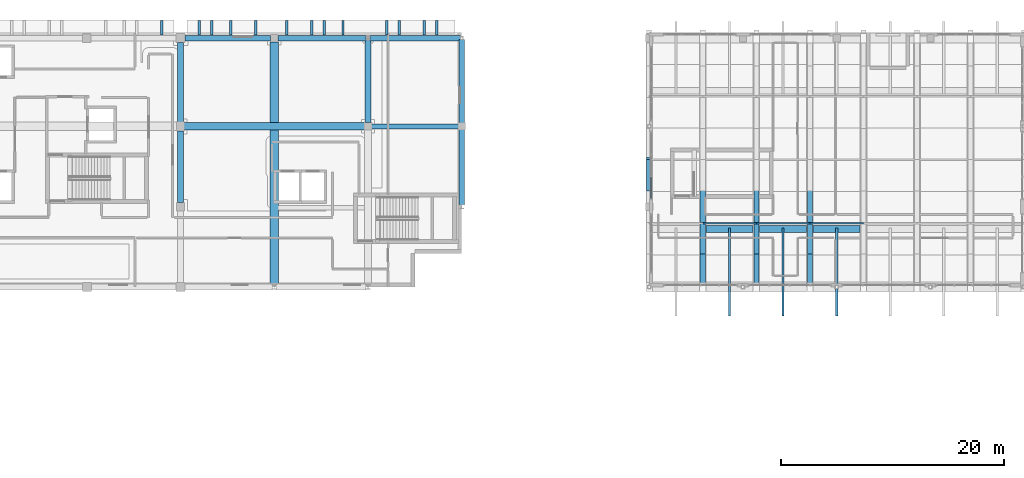
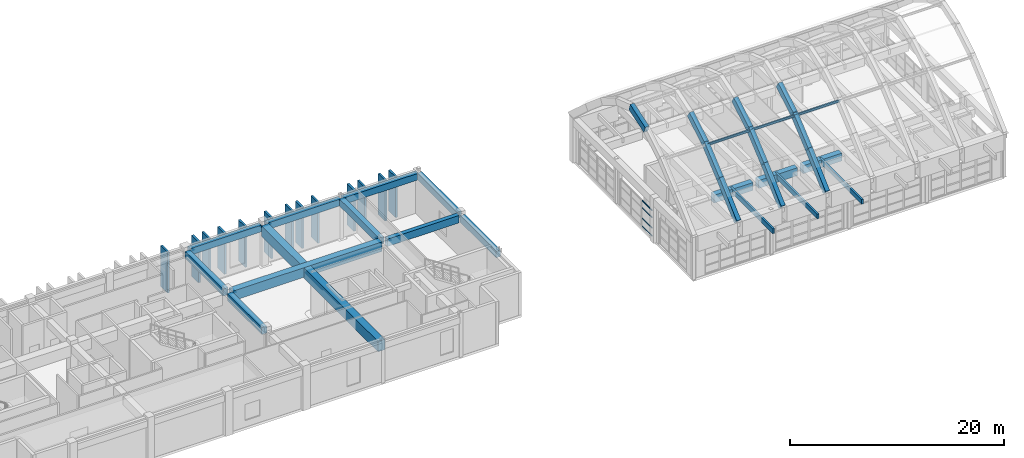
# One storey, part 31 of 78: 24 beams, 23 members, 1 element without a shape of its own.
"""IFC4 building model written with IfcOpenShell, lengths in metres."""

from ifc_helpers import new_model, si_unit, direction, frame, origin, origin_2d, place, context, subcontext, project, spatial, rectangle, hollow_rectangle, i_section, extrude, material, layer, layer_set, material_profile, profile_set, type_object, element, aggregate, save


model = new_model("IFC4")

# Units and contexts
model_context = context("Model", 3, precision=1e-05, world=origin(), true_north=direction((0.0, 1.0)))
body_context = subcontext(model_context, "Body", "Model", "MODEL_VIEW")
ifc_project = project(units=[si_unit("LENGTHUNIT", "METRE"), si_unit("AREAUNIT", "SQUARE_METRE"), si_unit("VOLUMEUNIT", "CUBIC_METRE"), si_unit("PLANEANGLEUNIT", "RADIAN"), si_unit("MASSUNIT", "GRAM", prefix="KILO")], contexts=[model_context])

# Site, building, storey
site_placement = place(None, origin())
site = spatial("IfcSite", under=ifc_project, at=site_placement, CompositionType="ELEMENT")
building_placement = place(site_placement, origin())
building = spatial("IfcBuilding", under=site, at=building_placement, Name="Quendrovan Civic Courthouse", CompositionType="ELEMENT")
storey_placement = place(building_placement, frame((0.0, 0.0, 20.39990234375)))
storey = spatial("IfcBuildingStorey", under=building, at=storey_placement, Name="L05", CompositionType="ELEMENT", Elevation=20.39990234375)

# Beams
ifc_material_1 = material(Name="Post-tensioned concrete C50/60", Category="concrete")
ifc_material_profile_1 = material_profile(ifc_material_1, rectangle(XDim=0.699951171875, YDim=1.10009765625, at=origin_2d()), Name="PT-GIRD-700x1100")
ifc_profile_set_1 = profile_set([ifc_material_profile_1], Name="Post-tensioned concrete C50/60")
beam_type_1 = type_object("IfcBeamType", Name="BM-PT1100", PredefinedType="BEAM", material=ifc_profile_set_1)
beam_1_placement = place(storey_placement, frame((67.530029296875, 102.0, 4.110107421875), z_axis=(1.0, 0.0, 0.0), x_axis=(0.0, 1.0, 0.0)))
element("IfcBeam", 1, at=beam_1_placement, inside=storey, type_object=beam_type_1, Name="L05 Girder X1041", PredefinedType="BEAM", context=body_context, shape_type="SweptSolid", body=[
    extrude(rectangle(XDim=0.699951171875, YDim=1.10009765625, at=origin_2d()), origin(), (0.0, 0.0, 1.0), 16.139892578125),
])
ifc_material_profile_2 = material_profile(ifc_material_1, rectangle(XDim=0.75, YDim=1.199951171875, at=origin_2d()), Name="PT-GIRD-750x1200")
ifc_profile_set_2 = profile_set([ifc_material_profile_2], Name="Post-tensioned concrete C50/60")
beam_type_2 = type_object("IfcBeamType", Name="BM-PT1200", PredefinedType="BEAM", material=ifc_profile_set_2)
beam_2_placement = place(storey_placement, frame((75.60009765625, 87.76611328125, 4.06005859375), z_axis=(0.0, 1.0, 0.0), x_axis=(-1.0, 0.0, 0.0)))
element("IfcBeam", 2, at=beam_2_placement, inside=storey, type_object=beam_type_2, Name="L05 Girder Y1089", PredefinedType="BEAM", context=body_context, shape_type="SweptSolid", body=[
    extrude(rectangle(XDim=0.75, YDim=1.199951171875, at=origin_2d()), origin(), (0.0, 0.0, 1.0), 21.803955078125),
])
ifc_material_2 = material(Name="Concrete C40/50", Category="concrete")
ifc_material_profile_3 = material_profile(ifc_material_2, rectangle(XDim=0.5, YDim=0.75, at=origin_2d()), Name="RC-BM-500x750")
ifc_profile_set_3 = profile_set([ifc_material_profile_3], Name="Concrete C40/50")
beam_type_3 = type_object("IfcBeamType", Name="BM-RC750", PredefinedType="SPANDREL", material=ifc_profile_set_3)
beam_3_placement = place(storey_placement, frame((67.580078125, 109.89990234375, 4.28515625), z_axis=(1.0, 0.0, 0.0), x_axis=(0.0, 1.0, 0.0)))
element("IfcBeam", 3, at=beam_3_placement, inside=storey, type_object=beam_type_3, Name="L05 Girder X1047", PredefinedType="SPANDREL", context=body_context, shape_type="SweptSolid", body=[
    extrude(rectangle(XDim=0.5, YDim=0.75, at=origin_2d()), origin(), (0.0, 0.0, 1.0), 7.68994140625),
])
beam_4_placement = place(storey_placement, frame((75.929931640625, 109.89990234375, 4.28515625), z_axis=(1.0, 0.0, 0.0), x_axis=(0.0, 1.0, 0.0)))
element("IfcBeam", 4, at=beam_4_placement, inside=storey, type_object=beam_type_3, Name="L05 Girder X1048", PredefinedType="SPANDREL", context=body_context, shape_type="SweptSolid", body=[
    extrude(rectangle(XDim=0.5, YDim=0.75, at=origin_2d()), origin(), (0.0, 0.0, 1.0), 7.903076171875),
])
beam_5_placement = place(storey_placement, frame((84.1669921875, 109.89990234375, 4.28515625), z_axis=(1.0, 0.0, 0.0), x_axis=(0.0, 1.0, 0.0)))
element("IfcBeam", 5, at=beam_5_placement, inside=storey, type_object=beam_type_3, Name="L05 Girder X1049", PredefinedType="SPANDREL", context=body_context, shape_type="SweptSolid", body=[
    extrude(rectangle(XDim=0.5, YDim=0.75, at=origin_2d()), origin(), (0.0, 0.0, 1.0), 8.10302734375),
])
beam_6_placement = place(storey_placement, frame((92.39990234375, 94.966064453125, 4.28515625), z_axis=(0.0, 1.0, 0.0), x_axis=(-1.0, 0.0, 0.0)))
element("IfcBeam", 6, at=beam_6_placement, inside=storey, type_object=beam_type_3, Name="L05 Girder Y1092", PredefinedType="SPANDREL", context=body_context, shape_type="SweptSolid", body=[
    extrude(rectangle(XDim=0.5, YDim=0.75, at=origin_2d()), origin(), (0.0, 0.0, 1.0), 6.72900390625),
])
beam_7_placement = place(storey_placement, frame((92.39990234375, 102.304931640625, 4.28515625), z_axis=(0.0, 1.0, 0.0), x_axis=(-1.0, 0.0, 0.0)))
element("IfcBeam", 7, at=beam_7_placement, inside=storey, type_object=beam_type_3, Name="L05 Girder Y1093", PredefinedType="SPANDREL", context=body_context, shape_type="SweptSolid", body=[
    extrude(rectangle(XDim=0.5, YDim=0.75, at=origin_2d()), origin(), (0.0, 0.0, 1.0), 7.465087890625),
])
ifc_material_profile_4 = material_profile(ifc_material_2, rectangle(XDim=0.550048828125, YDim=0.800048828125, at=origin_2d()), Name="RC-BM-550x800")
ifc_profile_set_4 = profile_set([ifc_material_profile_4], Name="Concrete C40/50")
beam_type_4 = type_object("IfcBeamType", Name="BM-RC800", PredefinedType="BEAM", material=ifc_profile_set_4)
beam_8_placement = place(storey_placement, frame((67.199951171875, 95.155029296875, 4.260009765625), z_axis=(0.0, 1.0, 0.0), x_axis=(-1.0, 0.0, 0.0)))
element("IfcBeam", 8, at=beam_8_placement, inside=storey, type_object=beam_type_4, Name="L05 Girder Y1087", PredefinedType="BEAM", context=body_context, shape_type="SweptSolid", body=[
    extrude(rectangle(XDim=0.550048828125, YDim=0.800048828125, at=origin_2d()), origin(), (0.0, 0.0, 1.0), 6.43994140625),
])
beam_9_placement = place(storey_placement, frame((67.199951171875, 102.405029296875, 4.260009765625), z_axis=(0.0, 1.0, 0.0), x_axis=(-1.0, 0.0, 0.0)))
element("IfcBeam", 9, at=beam_9_placement, inside=storey, type_object=beam_type_4, Name="L05 Girder Y1088", PredefinedType="BEAM", context=body_context, shape_type="SweptSolid", body=[
    extrude(rectangle(XDim=0.550048828125, YDim=0.800048828125, at=origin_2d()), origin(), (0.0, 0.0, 1.0), 7.114990234375),
])
beam_10_placement = place(storey_placement, frame((84.0, 102.330078125, 4.260009765625), z_axis=(0.0, 1.0, 0.0), x_axis=(-1.0, 0.0, 0.0)))
element("IfcBeam", 10, at=beam_10_placement, inside=storey, type_object=beam_type_4, Name="L05 Girder Y1091", PredefinedType="BEAM", context=body_context, shape_type="SweptSolid", body=[
    extrude(rectangle(XDim=0.550048828125, YDim=0.800048828125, at=origin_2d()), origin(), (0.0, 0.0, 1.0), 7.40380859375),
])
ifc_material_3 = material(Name="Concrete C45/55", Category="concrete")
ifc_material_profile_5 = material_profile(ifc_material_3, rectangle(XDim=0.449951171875, YDim=0.85009765625, at=origin_2d()), Name="RC-BM-450x850")
ifc_profile_set_5 = profile_set([ifc_material_profile_5], Name="Concrete C45/55")
beam_type_5 = type_object("IfcBeamType", Name="BM-RC850", PredefinedType="BEAM", material=ifc_profile_set_5)
beam_11_placement = place(storey_placement, frame((84.330078125, 102.0, 4.235107421875), z_axis=(1.0, 0.0, 0.0), x_axis=(0.0, 1.0, 0.0)))
element("IfcBeam", 11, at=beam_11_placement, inside=storey, type_object=beam_type_5, Name="L05 Girder X1042", PredefinedType="BEAM", context=body_context, shape_type="SweptSolid", body=[
    extrude(rectangle(XDim=0.449951171875, YDim=0.85009765625, at=origin_2d()), origin(), (0.0, 0.0, 1.0), 7.764892578125),
])
ifc_material_profile_6 = material_profile(ifc_material_2, rectangle(XDim=0.60009765625, YDim=0.89990234375, at=origin_2d()), Name="RC-BM-600x900")
ifc_profile_set_6 = profile_set([ifc_material_profile_6], Name="Concrete C40/50")
beam_type_6 = type_object("IfcBeamType", Name="BM-RC900", PredefinedType="BEAM", material=ifc_profile_set_6)
for number, where, z_axis, x_axis, name in (
    (12, (114.300048828125, 92.800048828125, 4.35009765625), (1.0, 0.0, 0.0), (0.0, 1.0, 0.0), "BV1 Eave Backspan Collector Beam S-B2"),
    (13, (119.10009765625, 92.800048828125, 4.35009765625), (1.0, 0.0, 0.0), (0.0, 1.0, 0.0), "BV1 Eave Backspan Collector Beam S-B3"),
):
    element("IfcBeam", number, at=place(storey_placement, frame(where, z_axis=z_axis, x_axis=x_axis)), inside=storey, type_object=beam_type_6, Name=name, PredefinedType="BEAM", context=body_context, shape_type="SweptSolid", body=[
        extrude(rectangle(XDim=0.60009765625, YDim=0.89990234375, at=origin_2d()), origin(), (0.0, 0.0, 1.0), 4.199951171875),
    ])
beam_12_placement = place(storey_placement, frame((123.89990234375, 92.800048828125, 4.35009765625), z_axis=(1.0, 0.0, 0.0), x_axis=(0.0, 1.0, 0.0)))
element("IfcBeam", 14, at=beam_12_placement, inside=storey, type_object=beam_type_6, Name="BV1 Eave Backspan Collector Beam S-B4", PredefinedType="BEAM", context=body_context, shape_type="SweptSolid", body=[
    extrude(rectangle(XDim=0.60009765625, YDim=0.89990234375, at=origin_2d()), origin(), (0.0, 0.0, 1.0), 4.2001953125),
])
ifc_material_profile_7 = material_profile(ifc_material_2, rectangle(XDim=0.449951171875, YDim=0.75, at=origin_2d()), Name="RC-VRIB-450x750")
ifc_profile_set_7 = profile_set([ifc_material_profile_7], Name="Concrete C40/50")
beam_type_7 = type_object("IfcBeamType", Name="BM-VRIB750", PredefinedType="BEAM", material=ifc_profile_set_7)
beam_13_placement = place(storey_placement, frame((109.199951171875, 96.33154296875, 11.8115234375), z_axis=(0.0, 0.948872737185, 0.315658880164), x_axis=(-1.0, 0.0, 0.0)))
element("IfcBeam", 15, at=beam_13_placement, inside=storey, type_object=beam_type_7, Name="BV1 Concrete Vault Arch Rib A1-C4", PredefinedType="BEAM", context=body_context, shape_type="SweptSolid", body=[
    extrude(rectangle(XDim=0.449951171875, YDim=0.75, at=origin_2d()), origin(), (0.0, 0.0, 1.0), 2.96142578125),
])
beam_14_placement = place(storey_placement, frame((114.0, 87.60009765625, 4.900146484375), z_axis=(0.0, 0.740733725172, 0.671798740988), x_axis=(-1.0, 0.0, 0.0)))
element("IfcBeam", 16, at=beam_14_placement, inside=storey, type_object=beam_type_7, Name="BV1 Concrete Vault Arch Rib A2-C1", PredefinedType="BEAM", context=body_context, shape_type="SweptSolid", body=[
    extrude(rectangle(XDim=0.449951171875, YDim=0.75, at=origin_2d()), origin(), (0.0, 0.0, 1.0), 4.423583984375),
])
beam_15_placement = place(storey_placement, frame((114.0, 90.822021484375, 7.818603515625), z_axis=(0.0, 0.762387086329, 0.647121264214), x_axis=(-1.0, 0.0, 0.0)))
element("IfcBeam", 17, at=beam_15_placement, inside=storey, type_object=beam_type_7, Name="BV1 Concrete Vault Arch Rib A2-C2", PredefinedType="BEAM", context=body_context, shape_type="SweptSolid", body=[
    extrude(rectangle(XDim=0.449951171875, YDim=0.75, at=origin_2d()), origin(), (0.0, 0.0, 1.0), 3.73828125),
])
beam_16_placement = place(storey_placement, frame((114.0, 93.592041015625, 10.180908203125), z_axis=(0.0, 0.861355141515, 0.508003267889), x_axis=(-1.0, 0.0, 0.0)))
element("IfcBeam", 18, at=beam_16_placement, inside=storey, type_object=beam_type_7, Name="BV1 Concrete Vault Arch Rib A2-C3", PredefinedType="BEAM", context=body_context, shape_type="SweptSolid", body=[
    extrude(rectangle(XDim=0.449951171875, YDim=0.75, at=origin_2d()), origin(), (0.0, 0.0, 1.0), 3.308837890625),
])
beam_17_placement = place(storey_placement, frame((118.800048828125, 87.60009765625, 4.900146484375), z_axis=(0.0, 0.740733725172, 0.671798740988), x_axis=(-1.0, 0.0, 0.0)))
element("IfcBeam", 19, at=beam_17_placement, inside=storey, type_object=beam_type_7, Name="BV1 Concrete Vault Arch Rib A3-C1", PredefinedType="BEAM", context=body_context, shape_type="SweptSolid", body=[
    extrude(rectangle(XDim=0.449951171875, YDim=0.75, at=origin_2d()), origin(), (0.0, 0.0, 1.0), 4.423583984375),
])
beam_18_placement = place(storey_placement, frame((118.800048828125, 90.822021484375, 7.818603515625), z_axis=(0.0, 0.762387086329, 0.647121264214), x_axis=(-1.0, 0.0, 0.0)))
element("IfcBeam", 20, at=beam_18_placement, inside=storey, type_object=beam_type_7, Name="BV1 Concrete Vault Arch Rib A3-C2", PredefinedType="BEAM", context=body_context, shape_type="SweptSolid", body=[
    extrude(rectangle(XDim=0.449951171875, YDim=0.75, at=origin_2d()), origin(), (0.0, 0.0, 1.0), 3.73828125),
])
beam_19_placement = place(storey_placement, frame((118.800048828125, 93.592041015625, 10.180908203125), z_axis=(0.0, 0.861355141515, 0.508003267889), x_axis=(-1.0, 0.0, 0.0)))
element("IfcBeam", 21, at=beam_19_placement, inside=storey, type_object=beam_type_7, Name="BV1 Concrete Vault Arch Rib A3-C3", PredefinedType="BEAM", context=body_context, shape_type="SweptSolid", body=[
    extrude(rectangle(XDim=0.449951171875, YDim=0.75, at=origin_2d()), origin(), (0.0, 0.0, 1.0), 3.308837890625),
])
beam_20_placement = place(storey_placement, frame((123.60009765625, 87.60009765625, 4.900146484375), z_axis=(0.0, 0.740733725172, 0.671798740988), x_axis=(-1.0, 0.0, 0.0)))
element("IfcBeam", 22, at=beam_20_placement, inside=storey, type_object=beam_type_7, Name="BV1 Concrete Vault Arch Rib A4-C1", PredefinedType="BEAM", context=body_context, shape_type="SweptSolid", body=[
    extrude(rectangle(XDim=0.449951171875, YDim=0.75, at=origin_2d()), origin(), (0.0, 0.0, 1.0), 4.423583984375),
])
beam_21_placement = place(storey_placement, frame((123.60009765625, 90.822021484375, 7.818603515625), z_axis=(0.0, 0.762387086329, 0.647121264214), x_axis=(-1.0, 0.0, 0.0)))
element("IfcBeam", 23, at=beam_21_placement, inside=storey, type_object=beam_type_7, Name="BV1 Concrete Vault Arch Rib A4-C2", PredefinedType="BEAM", context=body_context, shape_type="SweptSolid", body=[
    extrude(rectangle(XDim=0.449951171875, YDim=0.75, at=origin_2d()), origin(), (0.0, 0.0, 1.0), 3.73828125),
])
beam_22_placement = place(storey_placement, frame((123.60009765625, 93.592041015625, 10.180908203125), z_axis=(0.0, 0.861355141515, 0.508003267889), x_axis=(-1.0, 0.0, 0.0)))
element("IfcBeam", 24, at=beam_22_placement, inside=storey, type_object=beam_type_7, Name="BV1 Concrete Vault Arch Rib A4-C3", PredefinedType="BEAM", context=body_context, shape_type="SweptSolid", body=[
    extrude(rectangle(XDim=0.449951171875, YDim=0.75, at=origin_2d()), origin(), (0.0, 0.0, 1.0), 3.308837890625),
])

# Curtain wall, members
ifc_material_4 = material(Name="Bronze anodised aluminium and low-E glass", Category="aluminium")
ifc_layer = layer(ifc_material_4, 0.179931640625, Name="Bronze anodised aluminium and low-E glass")
ifc_layer_set = layer_set([ifc_layer], Name="Bronze anodised aluminium and low-E glass")
curtain_wall_type = type_object("IfcCurtainWallType", Name="CW-U60x30", PredefinedType="USERDEFINED", material=ifc_layer_set)
curtain_wall_placement = place(storey_placement, origin())
curtain_wall = element("IfcCurtainWall", 25, at=curtain_wall_placement, inside=storey, type_object=curtain_wall_type, Name="L05 Unitised Hurricane Curtain Wall CW-203", ObjectType="UNITISED CURTAIN WALL", PredefinedType="USERDEFINED")
ifc_material_5 = material(Name="Bronze anodised aluminium", Category="aluminium")
ifc_material_profile_8 = material_profile(ifc_material_5, hollow_rectangle(XDim=0.06494140625, YDim=0.114990234375, WallThickness=0.00390625, at=origin_2d()), Name="CW-TRAN-65x115")
ifc_profile_set_8 = profile_set([ifc_material_profile_8], Name="Bronze anodised aluminium")
member_type_1 = type_object("IfcMemberType", Name="CW-TRAN-B", PredefinedType="USERDEFINED", material=ifc_profile_set_8)
member_1_placement = place(storey_placement, frame((109.364990234375, 95.5400390625, 0.03271484375), z_axis=(0.0, 1.0, 0.0), x_axis=(-1.0, 0.0, 0.0)))
member_1 = element("IfcMember", 26, at=member_1_placement, type_object=member_type_1, Name="CW-203 transom 1.1", ObjectType="TRANSOM", PredefinedType="USERDEFINED", context=body_context, shape_type="SweptSolid", body=[
    extrude(hollow_rectangle(XDim=0.06494140625, YDim=0.114990234375, WallThickness=0.00390625, at=origin_2d()), origin(), (0.0, 0.0, 1.0), 1.910888671875),
])
member_2_placement = place(storey_placement, frame((109.364990234375, 95.5400390625, 0.9501953125), z_axis=(0.0, 1.0, 0.0), x_axis=(-1.0, 0.0, 0.0)))
member_2 = element("IfcMember", 27, at=member_2_placement, type_object=member_type_1, Name="CW-203 transom 1.2", ObjectType="TRANSOM", PredefinedType="USERDEFINED", context=body_context, shape_type="SweptSolid", body=[
    extrude(hollow_rectangle(XDim=0.06494140625, YDim=0.114990234375, WallThickness=0.00390625, at=origin_2d()), origin(), (0.0, 0.0, 1.0), 1.910888671875),
])
member_3_placement = place(storey_placement, frame((109.364990234375, 95.5400390625, 2.150146484375), z_axis=(0.0, 1.0, 0.0), x_axis=(-1.0, 0.0, 0.0)))
member_3 = element("IfcMember", 28, at=member_3_placement, type_object=member_type_1, Name="CW-203 transom 1.3", ObjectType="TRANSOM", PredefinedType="USERDEFINED", context=body_context, shape_type="SweptSolid", body=[
    extrude(hollow_rectangle(XDim=0.06494140625, YDim=0.114990234375, WallThickness=0.00390625, at=origin_2d()), origin(), (0.0, 0.0, 1.0), 1.910888671875),
])
member_4_placement = place(storey_placement, frame((109.364990234375, 95.5400390625, 2.95751953125), z_axis=(0.0, 1.0, 0.0), x_axis=(-1.0, 0.0, 0.0)))
member_4 = element("IfcMember", 29, at=member_4_placement, type_object=member_type_1, Name="CW-203 transom 1.4", ObjectType="TRANSOM", PredefinedType="USERDEFINED", context=body_context, shape_type="SweptSolid", body=[
    extrude(hollow_rectangle(XDim=0.06494140625, YDim=0.114990234375, WallThickness=0.00390625, at=origin_2d()), origin(), (0.0, 0.0, 1.0), 1.910888671875),
])
aggregate(curtain_wall, [member_1, member_2, member_3, member_4])

# Members
ifc_material_6 = material(Name="Precast concrete C45/55", Category="concrete")
ifc_material_profile_9 = material_profile(ifc_material_6, rectangle(XDim=0.219970703125, YDim=1.280029296875, at=origin_2d()), Name="PC-FIN-220x1280")
ifc_profile_set_9 = profile_set([ifc_material_profile_9], Name="Precast concrete C45/55")
member_type_2 = type_object("IfcMemberType", Name="MEM-PC-FIN1280", PredefinedType="USERDEFINED", material=ifc_profile_set_9)
for number, where, z_axis, x_axis, name in (
    (30, (65.52001953125, 110.83203125, 0.0), (0.0, 0.0, 1.0), (1.0, 0.0, 0.0), "L05 Precast Concrete Facade Fin 0070"),
    (31, (68.8798828125, 110.83203125, 0.0), (0.0, 0.0, 1.0), (1.0, 0.0, 0.0), "L05 Precast Concrete Facade Fin 0071"),
    (32, (70.0, 110.83203125, 0.0), (0.0, 0.0, 1.0), (1.0, 0.0, 0.0), "L05 Precast Concrete Facade Fin 0072"),
    (33, (71.679931640625, 110.83203125, 0.0), (0.0, 0.0, 1.0), (1.0, 0.0, 0.0), "L05 Precast Concrete Facade Fin 0073"),
    (34, (73.919921875, 110.83203125, 0.0), (0.0, 0.0, 1.0), (1.0, 0.0, 0.0), "L05 Precast Concrete Facade Fin 0074"),
    (35, (76.719970703125, 110.83203125, 0.0), (0.0, 0.0, 1.0), (1.0, 0.0, 0.0), "L05 Precast Concrete Facade Fin 0075"),
    (36, (78.9599609375, 110.83203125, 0.0), (0.0, 0.0, 1.0), (1.0, 0.0, 0.0), "L05 Precast Concrete Facade Fin 0076"),
    (37, (80.080078125, 110.83203125, 0.0), (0.0, 0.0, 1.0), (1.0, 0.0, 0.0), "L05 Precast Concrete Facade Fin 0077"),
    (38, (81.760009765625, 110.83203125, 0.0), (0.0, 0.0, 1.0), (1.0, 0.0, 0.0), "L05 Precast Concrete Facade Fin 0078"),
    (39, (85.679931640625, 110.83203125, 0.0), (0.0, 0.0, 1.0), (1.0, 0.0, 0.0), "L05 Precast Concrete Facade Fin 0079"),
    (40, (86.800048828125, 110.83203125, 0.0), (0.0, 0.0, 1.0), (1.0, 0.0, 0.0), "L05 Precast Concrete Facade Fin 0080"),
    (41, (89.0400390625, 110.83203125, 0.0), (0.0, 0.0, 1.0), (1.0, 0.0, 0.0), "L05 Precast Concrete Facade Fin 0081"),
    (42, (90.159912109375, 110.83203125, 0.0), (0.0, 0.0, 1.0), (1.0, 0.0, 0.0), "L05 Precast Concrete Facade Fin 0082"),
):
    element("IfcMember", number, at=place(storey_placement, frame(where, z_axis=z_axis, x_axis=x_axis)), inside=storey, type_object=member_type_2, Name=name, ObjectType="PRECAST FACADE FIN", PredefinedType="USERDEFINED", context=body_context, shape_type="SweptSolid", body=[
        extrude(rectangle(XDim=0.219970703125, YDim=1.280029296875, at=origin_2d()), origin(), (0.0, 0.0, 1.0), 4.68017578125),
    ])
ifc_material_7 = material(Name="Western Red Cedar Glulam GL28h", Category="wood")
ifc_material_profile_10 = material_profile(ifc_material_7, rectangle(XDim=0.199951171875, YDim=0.5400390625, at=origin_2d()), Name="GL28H-200x540")
ifc_profile_set_10 = profile_set([ifc_material_profile_10], Name="Western Red Cedar Glulam GL28h")
member_type_3 = type_object("IfcMemberType", Name="MEM-PUR-GL540", PredefinedType="PURLIN", material=ifc_profile_set_10)
for number, where, z_axis, x_axis, name in (
    (43, (116.39990234375, 85.0, 4.530029296875), (0.0, 1.0, 0.0), (-1.0, 0.0, 0.0), "BV1 Cedar Glulam South Hurricane Eave Outrigger B2"),
    (44, (121.199951171875, 85.0, 4.530029296875), (0.0, 1.0, 0.0), (-1.0, 0.0, 0.0), "BV1 Cedar Glulam South Hurricane Eave Outrigger B3"),
    (45, (126.0, 85.0, 4.530029296875), (0.0, 1.0, 0.0), (-1.0, 0.0, 0.0), "BV1 Cedar Glulam South Hurricane Eave Outrigger B4"),
):
    element("IfcMember", number, at=place(storey_placement, frame(where, z_axis=z_axis, x_axis=x_axis)), inside=storey, type_object=member_type_3, Name=name, PredefinedType="PURLIN", context=body_context, shape_type="SweptSolid", body=[
        extrude(rectangle(XDim=0.199951171875, YDim=0.5400390625, at=origin_2d()), origin(), (0.0, 0.0, 1.0), 7.89990234375),
    ])
ifc_material_8 = material(Name="Steel ASTM A992 Grade 50", Category="steel")
ifc_material_profile_11 = material_profile(ifc_material_8, i_section(OverallWidth=0.14599609375, OverallDepth=0.258056640625, WebThickness=0.006103515625, FlangeThickness=0.009033203125, at=origin_2d()), Name="W250x33")
ifc_profile_set_11 = profile_set([ifc_material_profile_11], Name="Steel ASTM A992 Grade 50")
member_type_4 = type_object("IfcMemberType", Name="MEM-PUR-W250", PredefinedType="PURLIN", material=ifc_profile_set_11)
for number, where, z_axis, x_axis, name in (
    (46, (114.0, 93.300048828125, 10.236083984375), (1.0, 0.0, 0.0), (0.0, 1.0, 0.0), "BV1 Vault Longitudinal Purlin B2-1"),
    (47, (118.800048828125, 93.300048828125, 10.236083984375), (1.0, 0.0, 0.0), (0.0, 1.0, 0.0), "BV1 Vault Longitudinal Purlin B3-1"),
):
    element("IfcMember", number, at=place(storey_placement, frame(where, z_axis=z_axis, x_axis=x_axis)), inside=storey, type_object=member_type_4, Name=name, PredefinedType="PURLIN", context=body_context, shape_type="SweptSolid", body=[
        extrude(i_section(OverallWidth=0.14599609375, OverallDepth=0.258056640625, WebThickness=0.006103515625, FlangeThickness=0.009033203125, at=origin_2d()), origin(), (0.0, 0.0, 1.0), 4.800048828125),
    ])
member_5_placement = place(storey_placement, frame((123.60009765625, 93.300048828125, 10.236083984375), z_axis=(1.0, 0.0, 0.0), x_axis=(0.0, 1.0, 0.0)))
element("IfcMember", 48, at=member_5_placement, inside=storey, type_object=member_type_4, Name="BV1 Vault Longitudinal Purlin B4-1", PredefinedType="PURLIN", context=body_context, shape_type="SweptSolid", body=[
    extrude(i_section(OverallWidth=0.14599609375, OverallDepth=0.258056640625, WebThickness=0.006103515625, FlangeThickness=0.009033203125, at=origin_2d()), origin(), (0.0, 0.0, 1.0), 4.7998046875),
])

save(model, "model.ifc")
